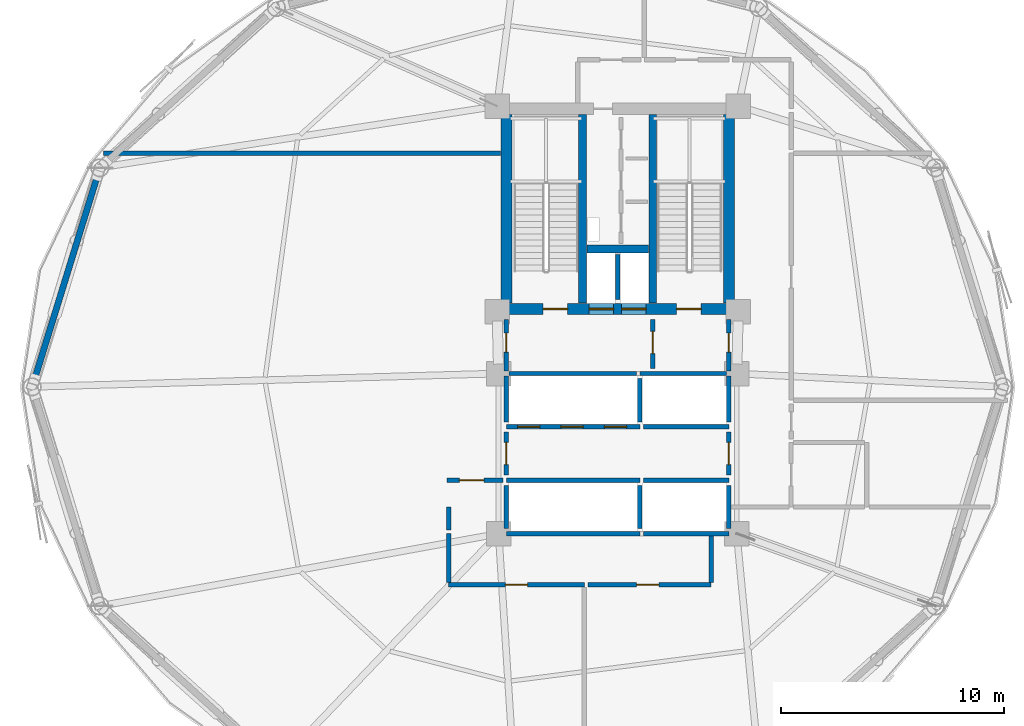
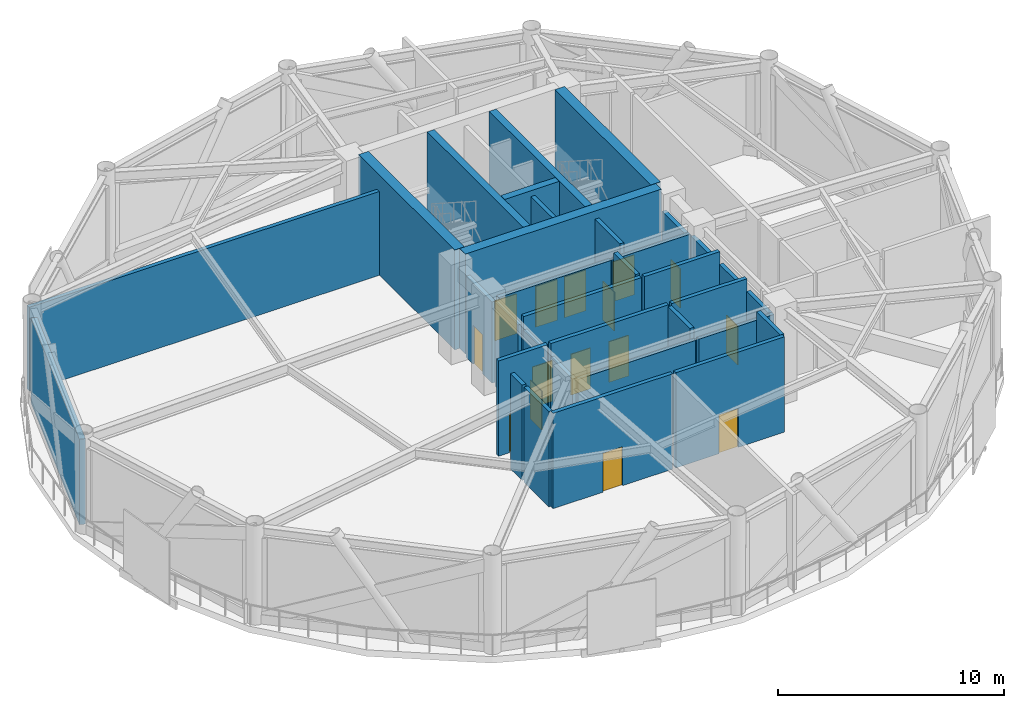
# One storey, part 3 of 8: 34 walls, 15 doors, 15 openings.
"""IFC4 building model written with IfcOpenShell, lengths in metres."""

from ifc_helpers import new_model, si_unit, direction, frame, frame_2d, origin, place, context, subcontext, project, spatial, rectangle, extrude, material, layer, layer_set, type_object, element, fill, save


model = new_model("IFC4")

# Units and contexts
model_context = context("Model", 3, precision=1e-05, world=origin(), true_north=direction((0.0, 1.0)))
body_context = subcontext(model_context, "Body", "Model", "MODEL_VIEW")
ifc_project = project(units=[si_unit("LENGTHUNIT", "METRE"), si_unit("AREAUNIT", "SQUARE_METRE"), si_unit("VOLUMEUNIT", "CUBIC_METRE"), si_unit("PLANEANGLEUNIT", "RADIAN"), si_unit("MASSUNIT", "GRAM", prefix="KILO")], contexts=[model_context])

# Site, building, storey
site_placement = place(None, origin())
site = spatial("IfcSite", under=ifc_project, at=site_placement, CompositionType="ELEMENT")
building_placement = place(site_placement, origin())
building = spatial("IfcBuilding", under=site, at=building_placement, Name="Varnakorn Sky Granary", CompositionType="ELEMENT")
storey_placement = place(building_placement, frame((0.0, 0.0, 78.300048828125)))
storey = spatial("IfcBuildingStorey", under=building, at=storey_placement, Name="L19", CompositionType="ELEMENT", Elevation=78.300048828125)

# Walls
ifc_material_1 = material(Name="Concrete C50/60", Category="concrete")
ifc_layer_1 = layer(ifc_material_1, 0.35009765625, Name="Concrete C50/60")
ifc_layer_set_1 = layer_set([ifc_layer_1], Name="Concrete C50/60")
wall_type_1 = type_object("IfcWallType", Name="WT-CW-INT-350", PredefinedType="SHEAR", material=ifc_layer_set_1)
for number, where, z_axis, x_axis, name in (
    (1, (1.419921875, 3.760009765625, 0.0), (0.0, 0.0, 1.0), (0.0, 1.0, 0.0), "Stair ST-1 Core Wall L19"),
    (2, (4.580078125, 3.760009765625, 0.0), (0.0, 0.0, 1.0), (0.0, 1.0, 0.0), "Stair ST-2 Core Wall L19"),
):
    element("IfcWall", number, at=place(storey_placement, frame(where, z_axis=z_axis, x_axis=x_axis)), inside=storey, type_object=wall_type_1, Name=name, PredefinedType="SHEAR", context=body_context, shape_type="SweptSolid", body=[
        extrude(rectangle(XDim=8.47998046875, YDim=0.35009765625, at=frame_2d((4.239990234375, 0.0))), origin(), (0.0, 0.0, 1.0), 5.391845703125),
    ])
wall_1_placement = place(storey_placement, frame((1.610107421875, 6.199951171875, 0.0), z_axis=(0.0, 0.0, 1.0), x_axis=(1.0, 0.0, 0.0)))
element("IfcWall", 3, at=wall_1_placement, inside=storey, type_object=wall_type_1, Name="Core Lift Shaft Cross Wall L19", PredefinedType="SHEAR", context=body_context, shape_type="SweptSolid", body=[
    extrude(rectangle(XDim=2.77978515625, YDim=0.35009765625, at=frame_2d((1.389892578125, 0.0))), origin(), (0.0, 0.0, 1.0), 5.391845703125),
])

# Wall, openings, doors
ifc_material_2 = material(Name="Concrete C60/75", Category="concrete")
ifc_layer_2 = layer(ifc_material_2, 0.5, Name="Concrete C60/75")
ifc_layer_set_2 = layer_set([ifc_layer_2], Name="Concrete C60/75")
wall_type_2 = type_object("IfcWallType", Name="WT-CW-SHEAR-500", PredefinedType="SHEAR", material=ifc_layer_set_2)
wall_2_placement = place(storey_placement, frame((-2.0, 3.5, 0.0), z_axis=(0.0, 0.0, 1.0), x_axis=(1.0, 0.0, 0.0)))
wall_2 = element("IfcWall", 4, at=wall_2_placement, inside=storey, type_object=wall_type_2, Name="Core South Shear Wall L19", PredefinedType="SHEAR", context=body_context, shape_type="SweptSolid", body=[
    extrude(rectangle(XDim=10.0, YDim=0.5, at=frame_2d((5.0, 0.0))), origin(), (0.0, 0.0, 1.0), 5.391845703125),
])
opening_1_placement = place(wall_2_placement, frame((1.64990234375, 0.0, 0.0)))
opening_1 = element("IfcOpeningElement", 5, at=opening_1_placement, cuts=wall_2, Name="Opening FD-90", PredefinedType="OPENING", context=body_context, shape_type="SweptSolid", body=[
    extrude(rectangle(XDim=1.10009765625, YDim=2.14990234375, at=frame_2d((0.550048828125, 1.074951171875))), frame((0.0, 0.260009765625, 0.0), z_axis=(0.0, -1.0, 0.0), x_axis=(1.0, 0.0, 0.0)), (0.0, 0.0, 1.0), 0.52001953125),
])
opening_2_placement = place(wall_2_placement, frame((7.64990234375, 0.0, 0.0)))
opening_2 = element("IfcOpeningElement", 6, at=opening_2_placement, cuts=wall_2, Name="Opening FD-90", PredefinedType="OPENING", context=body_context, shape_type="SweptSolid", body=[
    extrude(rectangle(XDim=1.10009765625, YDim=2.14990234375, at=frame_2d((0.550048828125, 1.074951171875))), frame((0.0, 0.260009765625, 0.0), z_axis=(0.0, -1.0, 0.0), x_axis=(1.0, 0.0, 0.0)), (0.0, 0.0, 1.0), 0.52001953125),
])
opening_3_placement = place(wall_2_placement, frame((3.719970703125, 0.0, 0.0)))
opening_3 = element("IfcOpeningElement", 7, at=opening_3_placement, cuts=wall_2, Name="Opening LD-01", PredefinedType="OPENING", context=body_context, shape_type="SweptSolid", body=[
    extrude(rectangle(XDim=1.10009765625, YDim=2.199951171875, at=frame_2d((0.550048828125, 1.10009765625))), frame((0.0, 0.260009765625, 0.0), z_axis=(0.0, -1.0, 0.0), x_axis=(1.0, 0.0, 0.0)), (0.0, 0.0, 1.0), 0.52001953125),
])
opening_4_placement = place(wall_2_placement, frame((5.179931640625, 0.0, 0.0)))
opening_4 = element("IfcOpeningElement", 8, at=opening_4_placement, cuts=wall_2, Name="Opening LD-01", PredefinedType="OPENING", context=body_context, shape_type="SweptSolid", body=[
    extrude(rectangle(XDim=1.10009765625, YDim=2.199951171875, at=frame_2d((0.550048828125, 1.10009765625))), frame((0.0, 0.260009765625, 0.0), z_axis=(0.0, -1.0, 0.0), x_axis=(1.0, 0.0, 0.0)), (0.0, 0.0, 1.0), 0.52001953125),
])
ifc_material_3 = material(Name="Brushed Bronze Stainless Steel", Category="steel")
door_type_1 = type_object("IfcDoorType", Name="DR-LD-1100", OperationType="DOUBLE_DOOR_SLIDING", PredefinedType="DOOR", material=ifc_material_3)
door_1_placement = place(opening_3_placement, origin())
door_1 = element("IfcDoor", 9, at=door_1_placement, inside=storey, type_object=door_type_1, Name="Firefighting Lift FFL-1 Landing Door L19", OperationType="DOUBLE_DOOR_SLIDING", OverallHeight=2.199951171875, OverallWidth=1.10009765625, PredefinedType="DOOR", context=body_context, shape_type="SweptSolid", body=[
    extrude(rectangle(XDim=1.10009765625, YDim=2.199951171875, at=frame_2d((0.550048828125, 1.10009765625))), frame((0.0, 0.02490234375, 0.0), z_axis=(0.0, -1.0, 0.0), x_axis=(1.0, 0.0, 0.0)), (0.0, 0.0, 1.0), 0.050048828125),
])
fill(opening_3, door_1)
door_2_placement = place(opening_4_placement, origin())
door_2 = element("IfcDoor", 10, at=door_2_placement, inside=storey, type_object=door_type_1, Name="Firefighting Lift FFL-2 Landing Door L19", OperationType="DOUBLE_DOOR_SLIDING", OverallHeight=2.199951171875, OverallWidth=1.10009765625, PredefinedType="DOOR", context=body_context, shape_type="SweptSolid", body=[
    extrude(rectangle(XDim=1.10009765625, YDim=2.199951171875, at=frame_2d((0.550048828125, 1.10009765625))), frame((0.0, 0.02490234375, 0.0), z_axis=(0.0, -1.0, 0.0), x_axis=(1.0, 0.0, 0.0)), (0.0, 0.0, 1.0), 0.050048828125),
])
fill(opening_4, door_2)
ifc_material_4 = material(Name="Galvanised Painted Steel Leaf", Category="steel")
door_type_2 = type_object("IfcDoorType", Name="DR-STAIR-1100", OperationType="NOTDEFINED", PredefinedType="DOOR", material=ifc_material_4)
door_3_placement = place(opening_1_placement, origin())
door_3 = element("IfcDoor", 11, at=door_3_placement, inside=storey, type_object=door_type_2, Name="Stair ST-1 Protected Fire Door L19", OperationType="SINGLE_SWING_LEFT", OverallHeight=2.14990234375, OverallWidth=1.10009765625, PredefinedType="DOOR", context=body_context, shape_type="SweptSolid", body=[
    extrude(rectangle(XDim=1.10009765625, YDim=2.14990234375, at=frame_2d((0.550048828125, 1.074951171875))), frame((0.0, 0.02490234375, 0.0), z_axis=(0.0, -1.0, 0.0), x_axis=(1.0, 0.0, 0.0)), (0.0, 0.0, 1.0), 0.050048828125),
])
fill(opening_1, door_3)
door_4_placement = place(opening_2_placement, origin())
door_4 = element("IfcDoor", 12, at=door_4_placement, inside=storey, type_object=door_type_2, Name="Stair ST-2 Protected Fire Door L19", OperationType="SINGLE_SWING_RIGHT", OverallHeight=2.14990234375, OverallWidth=1.10009765625, PredefinedType="DOOR", context=body_context, shape_type="SweptSolid", body=[
    extrude(rectangle(XDim=1.10009765625, YDim=2.14990234375, at=frame_2d((0.550048828125, 1.074951171875))), frame((0.0, 0.02490234375, 0.0), z_axis=(0.0, -1.0, 0.0), x_axis=(1.0, 0.0, 0.0)), (0.0, 0.0, 1.0), 0.050048828125),
])
fill(opening_2, door_4)

# Walls
for number, where, z_axis, x_axis, name in (
    (13, (-2.0, 3.760009765625, 0.0), (0.0, 0.0, 1.0), (0.0, 1.0, 0.0), "Core West Shear Wall L19"),
    (14, (8.0, 3.760009765625, 0.0), (0.0, 0.0, 1.0), (0.0, 1.0, 0.0), "Core East Shear Wall L19"),
):
    element("IfcWall", number, at=place(storey_placement, frame(where, z_axis=z_axis, x_axis=x_axis)), inside=storey, type_object=wall_type_2, Name=name, PredefinedType="SHEAR", context=body_context, shape_type="SweptSolid", body=[
        extrude(rectangle(XDim=8.47998046875, YDim=0.5, at=frame_2d((4.239990234375, 0.0))), origin(), (0.0, 0.0, 1.0), 5.391845703125),
    ])
ifc_material_5 = material(Name="Precast concrete C40/50", Category="concrete")
ifc_layer_3 = layer(ifc_material_5, 0.280029296875, Name="Precast concrete C40/50")
ifc_layer_set_3 = layer_set([ifc_layer_3], Name="Precast concrete C40/50")
wall_type_3 = type_object("IfcWallType", Name="WT-EW-CRN-280", PredefinedType="SOLIDWALL", material=ifc_layer_set_3)
wall_3_placement = place(storey_placement, frame((-23.204345703125, 0.345458984375, 0.0), z_axis=(0.0, 0.0, 1.0), x_axis=(0.295035078494, 0.955486421912, 0.0)))
element("IfcWall", 15, at=wall_3_placement, inside=storey, type_object=wall_type_3, Name="Agritech Insulated Precast Facade Wall L19-P06", PredefinedType="SOLIDWALL", context=body_context, shape_type="SweptSolid", body=[
    extrude(rectangle(XDim=9.577392578125, YDim=0.280029296875, at=frame_2d((4.78857421875, 0.0))), origin(), (0.0, 0.0, 1.0), 4.60986328125),
])

# Wall, opening, door
ifc_material_6 = material(Name="Autoclaved Aerated Concrete Blockwork", Category="masonry")
ifc_layer_4 = layer(ifc_material_6, 0.199951171875, Name="Autoclaved Aerated Concrete Blockwork")
ifc_layer_set_4 = layer_set([ifc_layer_4], Name="Autoclaved Aerated Concrete Blockwork")
wall_type_4 = type_object("IfcWallType", Name="WT-FIRE-200", PredefinedType="MOVABLE", material=ifc_layer_set_4)
wall_4_placement = place(storey_placement, frame((4.580078125, 0.830078125, 0.0), z_axis=(0.0, 0.0, 1.0), x_axis=(0.0, 1.0, 0.0)))
wall_4 = element("IfcWall", 16, at=wall_4_placement, inside=storey, type_object=wall_type_4, Name="Interior Partition Wall L19-016", PredefinedType="MOVABLE", context=body_context, shape_type="SweptSolid", body=[
    extrude(rectangle(XDim=2.18994140625, YDim=0.199951171875, at=frame_2d((1.094970703125, 0.0))), origin(), (0.0, 0.0, 1.0), 5.139892578125),
])
opening_5_placement = place(wall_4_placement, frame((0.659912109375, 0.0, 0.0)))
opening_5 = element("IfcOpeningElement", 17, at=opening_5_placement, cuts=wall_4, Name="Opening FD-60", PredefinedType="OPENING", context=body_context, shape_type="SweptSolid", body=[
    extrude(rectangle(XDim=1.0, YDim=2.10009765625, at=frame_2d((0.5, 1.050048828125))), frame((0.0, 0.10986328125, 0.0), z_axis=(0.0, -1.0, 0.0), x_axis=(1.0, 0.0, 0.0)), (0.0, 0.0, 1.0), 0.219970703125),
])
ifc_material_7 = material(Name="Acoustic Timber Fire Leaf", Category="wood")
door_type_3 = type_object("IfcDoorType", Name="DR-FD60-1000", OperationType="NOTDEFINED", PredefinedType="DOOR", material=ifc_material_7)
door_5_placement = place(opening_5_placement, origin())
door_5 = element("IfcDoor", 18, at=door_5_placement, inside=storey, type_object=door_type_3, Name="Interior Door L19-016-1", OperationType="SINGLE_SWING_LEFT", OverallHeight=2.10009765625, OverallWidth=1.0, PredefinedType="DOOR", context=body_context, shape_type="SweptSolid", body=[
    extrude(rectangle(XDim=1.0, YDim=2.10009765625, at=frame_2d((0.5, 1.050048828125))), frame((0.0, 0.02490234375, 0.0), z_axis=(0.0, -1.0, 0.0), x_axis=(1.0, 0.0, 0.0)), (0.0, 0.0, 1.0), 0.050048828125),
])
fill(opening_5, door_5)

wall_5_placement = place(storey_placement, frame((-2.0, 0.719970703125, 0.0), z_axis=(0.0, 0.0, 1.0), x_axis=(0.0, 1.0, 0.0)))
wall_5 = element("IfcWall", 19, at=wall_5_placement, inside=storey, type_object=wall_type_4, Name="Interior Partition Wall L19-017", PredefinedType="MOVABLE", context=body_context, shape_type="SweptSolid", body=[
    extrude(rectangle(XDim=2.300048828125, YDim=0.199951171875, at=frame_2d((1.14990234375, 0.0))), origin(), (0.0, 0.0, 1.0), 4.3720703125),
])
opening_6_placement = place(wall_5_placement, frame((0.844970703125, 0.0, 0.0)))
opening_6 = element("IfcOpeningElement", 20, at=opening_6_placement, cuts=wall_5, Name="Opening FD-60N", PredefinedType="OPENING", context=body_context, shape_type="SweptSolid", body=[
    extrude(rectangle(XDim=0.85009765625, YDim=2.10009765625, at=frame_2d((0.425048828125, 1.050048828125))), frame((0.0, 0.10986328125, 0.0), z_axis=(0.0, -1.0, 0.0), x_axis=(1.0, 0.0, 0.0)), (0.0, 0.0, 1.0), 0.219970703125),
])
door_type_4 = type_object("IfcDoorType", Name="DR-FD60-850", OperationType="NOTDEFINED", PredefinedType="DOOR", material=ifc_material_7)
door_6_placement = place(opening_6_placement, origin())
door_6 = element("IfcDoor", 21, at=door_6_placement, inside=storey, type_object=door_type_4, Name="Interior Door L19-017-1", OperationType="SINGLE_SWING_RIGHT", OverallHeight=2.10009765625, OverallWidth=0.85009765625, PredefinedType="DOOR", context=body_context, shape_type="SweptSolid", body=[
    extrude(rectangle(XDim=0.85009765625, YDim=2.10009765625, at=frame_2d((0.425048828125, 1.050048828125))), frame((0.0, 0.02490234375, 0.0), z_axis=(0.0, -1.0, 0.0), x_axis=(1.0, 0.0, 0.0)), (0.0, 0.0, 1.0), 0.050048828125),
])
fill(opening_6, door_6)

wall_6_placement = place(storey_placement, frame((8.0, 0.719970703125, 0.0), z_axis=(0.0, 0.0, 1.0), x_axis=(0.0, 1.0, 0.0)))
wall_6 = element("IfcWall", 22, at=wall_6_placement, inside=storey, type_object=wall_type_4, Name="Interior Partition Wall L19-018", PredefinedType="MOVABLE", context=body_context, shape_type="SweptSolid", body=[
    extrude(rectangle(XDim=2.300048828125, YDim=0.199951171875, at=frame_2d((1.14990234375, 0.0))), origin(), (0.0, 0.0, 1.0), 4.3720703125),
])
opening_7_placement = place(wall_6_placement, frame((0.844970703125, 0.0, 0.0)))
opening_7 = element("IfcOpeningElement", 23, at=opening_7_placement, cuts=wall_6, Name="Opening FD-60N", PredefinedType="OPENING", context=body_context, shape_type="SweptSolid", body=[
    extrude(rectangle(XDim=0.85009765625, YDim=2.10009765625, at=frame_2d((0.425048828125, 1.050048828125))), frame((0.0, 0.10986328125, 0.0), z_axis=(0.0, -1.0, 0.0), x_axis=(1.0, 0.0, 0.0)), (0.0, 0.0, 1.0), 0.219970703125),
])
door_7_placement = place(opening_7_placement, origin())
door_7 = element("IfcDoor", 24, at=door_7_placement, inside=storey, type_object=door_type_4, Name="Interior Door L19-018-1", OperationType="SINGLE_SWING_LEFT", OverallHeight=2.10009765625, OverallWidth=0.85009765625, PredefinedType="DOOR", context=body_context, shape_type="SweptSolid", body=[
    extrude(rectangle(XDim=0.85009765625, YDim=2.10009765625, at=frame_2d((0.425048828125, 1.050048828125))), frame((0.0, 0.02490234375, 0.0), z_axis=(0.0, -1.0, 0.0), x_axis=(1.0, 0.0, 0.0)), (0.0, 0.0, 1.0), 0.050048828125),
])
fill(opening_7, door_7)

wall_7_placement = place(storey_placement, frame((-2.0, -3.969970703125, 0.0), z_axis=(0.0, 0.0, 1.0), x_axis=(0.0, 1.0, 0.0)))
wall_7 = element("IfcWall", 25, at=wall_7_placement, inside=storey, type_object=wall_type_4, Name="Interior Partition Wall L19-019", PredefinedType="MOVABLE", context=body_context, shape_type="SweptSolid", body=[
    extrude(rectangle(XDim=1.93994140625, YDim=0.199951171875, at=frame_2d((0.969970703125, 0.0))), origin(), (0.0, 0.0, 1.0), 4.52197265625),
])
opening_8_placement = place(wall_7_placement, frame((0.469970703125, 0.0, 0.0)))
opening_8 = element("IfcOpeningElement", 26, at=opening_8_placement, cuts=wall_7, Name="Opening FD-60", PredefinedType="OPENING", context=body_context, shape_type="SweptSolid", body=[
    extrude(rectangle(XDim=1.0, YDim=2.10009765625, at=frame_2d((0.5, 1.050048828125))), frame((0.0, 0.10986328125, 0.0), z_axis=(0.0, -1.0, 0.0), x_axis=(1.0, 0.0, 0.0)), (0.0, 0.0, 1.0), 0.219970703125),
])
door_8_placement = place(opening_8_placement, origin())
door_8 = element("IfcDoor", 27, at=door_8_placement, inside=storey, type_object=door_type_3, Name="Interior Door L19-019-1", OperationType="SINGLE_SWING_RIGHT", OverallHeight=2.10009765625, OverallWidth=1.0, PredefinedType="DOOR", context=body_context, shape_type="SweptSolid", body=[
    extrude(rectangle(XDim=1.0, YDim=2.10009765625, at=frame_2d((0.5, 1.050048828125))), frame((0.0, 0.02490234375, 0.0), z_axis=(0.0, -1.0, 0.0), x_axis=(1.0, 0.0, 0.0)), (0.0, 0.0, 1.0), 0.050048828125),
])
fill(opening_8, door_8)

wall_8_placement = place(storey_placement, frame((8.0, -3.969970703125, 0.0), z_axis=(0.0, 0.0, 1.0), x_axis=(0.0, 1.0, 0.0)))
wall_8 = element("IfcWall", 28, at=wall_8_placement, inside=storey, type_object=wall_type_4, Name="Interior Partition Wall L19-020", PredefinedType="MOVABLE", context=body_context, shape_type="SweptSolid", body=[
    extrude(rectangle(XDim=1.93994140625, YDim=0.199951171875, at=frame_2d((0.969970703125, 0.0))), origin(), (0.0, 0.0, 1.0), 4.572021484375),
])
opening_9_placement = place(wall_8_placement, frame((0.469970703125, 0.0, 0.0)))
opening_9 = element("IfcOpeningElement", 29, at=opening_9_placement, cuts=wall_8, Name="Opening FD-60", PredefinedType="OPENING", context=body_context, shape_type="SweptSolid", body=[
    extrude(rectangle(XDim=1.0, YDim=2.10009765625, at=frame_2d((0.5, 1.050048828125))), frame((0.0, 0.10986328125, 0.0), z_axis=(0.0, -1.0, 0.0), x_axis=(1.0, 0.0, 0.0)), (0.0, 0.0, 1.0), 0.219970703125),
])
door_9_placement = place(opening_9_placement, origin())
door_9 = element("IfcDoor", 30, at=door_9_placement, inside=storey, type_object=door_type_3, Name="Interior Door L19-020-1", OperationType="SINGLE_SWING_LEFT", OverallHeight=2.10009765625, OverallWidth=1.0, PredefinedType="DOOR", context=body_context, shape_type="SweptSolid", body=[
    extrude(rectangle(XDim=1.0, YDim=2.10009765625, at=frame_2d((0.5, 1.050048828125))), frame((0.0, 0.02490234375, 0.0), z_axis=(0.0, -1.0, 0.0), x_axis=(1.0, 0.0, 0.0)), (0.0, 0.0, 1.0), 0.050048828125),
])
fill(opening_9, door_9)

wall_9_placement = place(storey_placement, frame((-2.159912109375, -4.199951171875, 0.0), z_axis=(0.0, 0.0, 1.0), x_axis=(-1.0, 0.0, 0.0)))
wall_9 = element("IfcWall", 31, at=wall_9_placement, inside=storey, type_object=wall_type_4, Name="Interior Partition Wall L19-021", PredefinedType="MOVABLE", context=body_context, shape_type="SweptSolid", body=[
    extrude(rectangle(XDim=2.5, YDim=0.199951171875, at=frame_2d((1.25, 0.0))), origin(), (0.0, 0.0, 1.0), 5.139892578125),
])
opening_10_placement = place(wall_9_placement, frame((0.85009765625, 0.0, 0.0)))
opening_10 = element("IfcOpeningElement", 32, at=opening_10_placement, cuts=wall_9, Name="Opening FD-60W", PredefinedType="OPENING", context=body_context, shape_type="SweptSolid", body=[
    extrude(rectangle(XDim=1.10009765625, YDim=2.10009765625, at=frame_2d((0.550048828125, 1.050048828125))), frame((0.0, 0.10986328125, 0.0), z_axis=(0.0, -1.0, 0.0), x_axis=(1.0, 0.0, 0.0)), (0.0, 0.0, 1.0), 0.219970703125),
])
door_type_5 = type_object("IfcDoorType", Name="DR-FD60-1100", OperationType="NOTDEFINED", PredefinedType="DOOR", material=ifc_material_4)
door_10_placement = place(opening_10_placement, origin())
door_10 = element("IfcDoor", 33, at=door_10_placement, inside=storey, type_object=door_type_5, Name="Interior Door L19-021-1", OperationType="SINGLE_SWING_RIGHT", OverallHeight=2.10009765625, OverallWidth=1.10009765625, PredefinedType="DOOR", context=body_context, shape_type="SweptSolid", body=[
    extrude(rectangle(XDim=1.10009765625, YDim=2.10009765625, at=frame_2d((0.550048828125, 1.050048828125))), frame((0.0, 0.02490234375, 0.0), z_axis=(0.0, -1.0, 0.0), x_axis=(1.0, 0.0, 0.0)), (0.0, 0.0, 1.0), 0.050048828125),
])
fill(opening_10, door_10)

wall_10_placement = place(storey_placement, frame((-4.60009765625, -8.89990234375, 0.0), z_axis=(0.0, 0.0, 1.0), x_axis=(1.0, 0.0, 0.0)))
wall_10 = element("IfcWall", 34, at=wall_10_placement, inside=storey, type_object=wall_type_4, Name="Interior Partition Wall L19-027", PredefinedType="MOVABLE", context=body_context, shape_type="SweptSolid", body=[
    extrude(rectangle(XDim=6.10009765625, YDim=0.199951171875, at=frame_2d((3.050048828125, 0.0))), origin(), (0.0, 0.0, 1.0), 5.139892578125),
])
opening_11_placement = place(wall_10_placement, frame((2.550048828125, 0.0, 0.0)))
opening_11 = element("IfcOpeningElement", 35, at=opening_11_placement, cuts=wall_10, Name="Opening FD-60", PredefinedType="OPENING", context=body_context, shape_type="SweptSolid", body=[
    extrude(rectangle(XDim=1.0, YDim=2.10009765625, at=frame_2d((0.5, 1.050048828125))), frame((0.0, 0.10986328125, 0.0), z_axis=(0.0, -1.0, 0.0), x_axis=(1.0, 0.0, 0.0)), (0.0, 0.0, 1.0), 0.219970703125),
])
door_11_placement = place(opening_11_placement, origin())
door_11 = element("IfcDoor", 36, at=door_11_placement, inside=storey, type_object=door_type_3, Name="Interior Door L19-027-1", OperationType="SINGLE_SWING_RIGHT", OverallHeight=2.10009765625, OverallWidth=1.0, PredefinedType="DOOR", context=body_context, shape_type="SweptSolid", body=[
    extrude(rectangle(XDim=1.0, YDim=2.10009765625, at=frame_2d((0.5, 1.050048828125))), frame((0.0, 0.02490234375, 0.0), z_axis=(0.0, -1.0, 0.0), x_axis=(1.0, 0.0, 0.0)), (0.0, 0.0, 1.0), 0.050048828125),
])
fill(opening_11, door_11)

wall_11_placement = place(storey_placement, frame((1.659912109375, -8.89990234375, 0.0), z_axis=(0.0, 0.0, 1.0), x_axis=(1.0, 0.0, 0.0)))
wall_11 = element("IfcWall", 37, at=wall_11_placement, inside=storey, type_object=wall_type_4, Name="Interior Partition Wall L19-028", PredefinedType="MOVABLE", context=body_context, shape_type="SweptSolid", body=[
    extrude(rectangle(XDim=5.5400390625, YDim=0.199951171875, at=frame_2d((2.77001953125, 0.0))), origin(), (0.0, 0.0, 1.0), 5.139892578125),
])
opening_12_placement = place(wall_11_placement, frame((2.18994140625, 0.0, 0.0)))
opening_12 = element("IfcOpeningElement", 38, at=opening_12_placement, cuts=wall_11, Name="Opening FD-60", PredefinedType="OPENING", context=body_context, shape_type="SweptSolid", body=[
    extrude(rectangle(XDim=1.0, YDim=2.10009765625, at=frame_2d((0.5, 1.050048828125))), frame((0.0, 0.10986328125, 0.0), z_axis=(0.0, -1.0, 0.0), x_axis=(1.0, 0.0, 0.0)), (0.0, 0.0, 1.0), 0.219970703125),
])
door_12_placement = place(opening_12_placement, origin())
door_12 = element("IfcDoor", 39, at=door_12_placement, inside=storey, type_object=door_type_3, Name="Interior Door L19-028-1", OperationType="SINGLE_SWING_LEFT", OverallHeight=2.10009765625, OverallWidth=1.0, PredefinedType="DOOR", context=body_context, shape_type="SweptSolid", body=[
    extrude(rectangle(XDim=1.0, YDim=2.10009765625, at=frame_2d((0.5, 1.050048828125))), frame((0.0, 0.02490234375, 0.0), z_axis=(0.0, -1.0, 0.0), x_axis=(1.0, 0.0, 0.0)), (0.0, 0.0, 1.0), 0.050048828125),
])
fill(opening_12, door_12)

# Walls
wall_12_placement = place(storey_placement, frame((-1.8798828125, 0.60009765625, 0.0), z_axis=(0.0, 0.0, 1.0), x_axis=(1.0, 0.0, 0.0)))
element("IfcWall", 40, at=wall_12_placement, inside=storey, type_object=wall_type_4, Name="Interior Partition Wall L19-031", PredefinedType="MOVABLE", context=body_context, shape_type="SweptSolid", body=[
    extrude(rectangle(XDim=5.719970703125, YDim=0.199951171875, at=frame_2d((2.85986328125, 0.0))), origin(), (0.0, 0.0, 1.0), 4.671875),
])
wall_13_placement = place(storey_placement, frame((-4.60009765625, -6.60009765625, 0.0), z_axis=(0.0, 0.0, 1.0), x_axis=(0.0, -1.0, 0.0)))
element("IfcWall", 41, at=wall_13_placement, inside=storey, type_object=wall_type_4, Name="Interior Partition Wall L19-036", PredefinedType="MOVABLE", context=body_context, shape_type="SweptSolid", body=[
    extrude(rectangle(XDim=2.18994140625, YDim=0.199951171875, at=frame_2d((1.094970703125, 0.0))), origin(), (0.0, 0.0, 1.0), 5.139892578125),
])
wall_14_placement = place(storey_placement, frame((-4.60009765625, -5.39990234375, 0.0), z_axis=(0.0, 0.0, 1.0), x_axis=(0.0, -1.0, 0.0)))
element("IfcWall", 42, at=wall_14_placement, inside=storey, type_object=wall_type_4, Name="Interior Partition Wall L19-037", PredefinedType="MOVABLE", context=body_context, shape_type="SweptSolid", body=[
    extrude(rectangle(XDim=1.0400390625, YDim=0.199951171875, at=frame_2d((0.52001953125, 0.0))), origin(), (0.0, 0.0, 1.0), 5.139892578125),
])
wall_15_placement = place(storey_placement, frame((7.199951171875, -8.7900390625, 0.0), z_axis=(0.0, 0.0, 1.0), x_axis=(0.0, 1.0, 0.0)))
element("IfcWall", 43, at=wall_15_placement, inside=storey, type_object=wall_type_4, Name="Interior Partition Wall L19-038", PredefinedType="MOVABLE", context=body_context, shape_type="SweptSolid", body=[
    extrude(rectangle(XDim=2.080078125, YDim=0.199951171875, at=frame_2d((1.0400390625, 0.0))), origin(), (0.0, 0.0, 1.0), 5.139892578125),
])
wall_16_placement = place(storey_placement, frame((-20.10888671875, 10.5, 0.0), z_axis=(0.0, 0.0, 1.0), x_axis=(1.0, 0.0, 0.0)))
element("IfcWall", 44, at=wall_16_placement, inside=storey, type_object=wall_type_4, Name="Interior Partition Wall L19-040", PredefinedType="MOVABLE", context=body_context, shape_type="SweptSolid", body=[
    extrude(rectangle(XDim=17.848876953125, YDim=0.199951171875, at=frame_2d((8.92431640625, 0.0))), origin(), (0.0, 0.0, 1.0), 4.52197265625),
])
ifc_layer_5 = layer(ifc_material_6, 0.199951171875, Name="Autoclaved Aerated Concrete Blockwork")
ifc_layer_set_5 = layer_set([ifc_layer_5], Name="Autoclaved Aerated Concrete Blockwork")
wall_type_5 = type_object("IfcWallType", Name="WT-SHAFT-200", PredefinedType="SOLIDWALL", material=ifc_layer_set_5)
wall_17_placement = place(storey_placement, frame((3.0, 3.919921875, 0.0), z_axis=(0.0, 0.0, 1.0), x_axis=(0.0, 1.0, 0.0)))
element("IfcWall", 45, at=wall_17_placement, inside=storey, type_object=wall_type_5, Name="Interior Partition Wall L19-001", PredefinedType="SOLIDWALL", context=body_context, shape_type="SweptSolid", body=[
    extrude(rectangle(XDim=2.030029296875, YDim=0.199951171875, at=frame_2d((1.01513671875, 0.0))), origin(), (0.0, 0.0, 1.0), 5.139892578125),
])
wall_18_placement = place(storey_placement, frame((4.0, 0.60009765625, 0.0), z_axis=(0.0, 0.0, 1.0), x_axis=(1.0, 0.0, 0.0)))
element("IfcWall", 46, at=wall_18_placement, inside=storey, type_object=wall_type_5, Name="Interior Partition Wall L19-002", PredefinedType="SOLIDWALL", context=body_context, shape_type="SweptSolid", body=[
    extrude(rectangle(XDim=3.8798828125, YDim=0.199951171875, at=frame_2d((1.93994140625, 0.0))), origin(), (0.0, 0.0, 1.0), 4.671875),
])

# Wall, openings, doors
wall_19_placement = place(storey_placement, frame((-2.0, -1.800048828125, 0.0), z_axis=(0.0, 0.0, 1.0), x_axis=(1.0, 0.0, 0.0)))
wall_19 = element("IfcWall", 47, at=wall_19_placement, inside=storey, type_object=wall_type_5, Name="Interior Partition Wall L19-003", PredefinedType="SOLIDWALL", context=body_context, shape_type="SweptSolid", body=[
    extrude(rectangle(XDim=6.0, YDim=0.199951171875, at=frame_2d((3.0, 0.0))), origin(), (0.0, 0.0, 1.0), 5.139892578125),
])
opening_13_placement = place(wall_19_placement, frame((0.5, 0.0, 0.0)))
opening_13 = element("IfcOpeningElement", 48, at=opening_13_placement, cuts=wall_19, Name="Opening LD-03", PredefinedType="OPENING", context=body_context, shape_type="SweptSolid", body=[
    extrude(rectangle(XDim=1.0, YDim=2.199951171875, at=frame_2d((0.5, 1.10009765625))), frame((0.0, 0.10986328125, 0.0), z_axis=(0.0, -1.0, 0.0), x_axis=(1.0, 0.0, 0.0)), (0.0, 0.0, 1.0), 0.219970703125),
])
opening_14_placement = place(wall_19_placement, frame((2.449951171875, 0.0, 0.0)))
opening_14 = element("IfcOpeningElement", 49, at=opening_14_placement, cuts=wall_19, Name="Opening LD-03", PredefinedType="OPENING", context=body_context, shape_type="SweptSolid", body=[
    extrude(rectangle(XDim=1.0, YDim=2.199951171875, at=frame_2d((0.5, 1.10009765625))), frame((0.0, 0.10986328125, 0.0), z_axis=(0.0, -1.0, 0.0), x_axis=(1.0, 0.0, 0.0)), (0.0, 0.0, 1.0), 0.219970703125),
])
opening_15_placement = place(wall_19_placement, frame((4.39990234375, 0.0, 0.0)))
opening_15 = element("IfcOpeningElement", 50, at=opening_15_placement, cuts=wall_19, Name="Opening LD-03", PredefinedType="OPENING", context=body_context, shape_type="SweptSolid", body=[
    extrude(rectangle(XDim=1.0, YDim=2.199951171875, at=frame_2d((0.5, 1.10009765625))), frame((0.0, 0.10986328125, 0.0), z_axis=(0.0, -1.0, 0.0), x_axis=(1.0, 0.0, 0.0)), (0.0, 0.0, 1.0), 0.219970703125),
])
door_type_6 = type_object("IfcDoorType", Name="DR-LD-1000", OperationType="DOUBLE_DOOR_SLIDING", PredefinedType="DOOR", material=ifc_material_3)
door_13_placement = place(opening_13_placement, origin())
door_13 = element("IfcDoor", 51, at=door_13_placement, inside=storey, type_object=door_type_6, Name="Passenger Lift PL-L1 Sliding Landing Door L19", OperationType="DOUBLE_DOOR_SLIDING", OverallHeight=2.199951171875, OverallWidth=1.0, PredefinedType="DOOR", context=body_context, shape_type="SweptSolid", body=[
    extrude(rectangle(XDim=1.0, YDim=2.199951171875, at=frame_2d((0.5, 1.10009765625))), frame((0.0, 0.02490234375, 0.0), z_axis=(0.0, -1.0, 0.0), x_axis=(1.0, 0.0, 0.0)), (0.0, 0.0, 1.0), 0.050048828125),
])
fill(opening_13, door_13)
door_14_placement = place(opening_14_placement, origin())
door_14 = element("IfcDoor", 52, at=door_14_placement, inside=storey, type_object=door_type_6, Name="Passenger Lift PL-L2 Sliding Landing Door L19", OperationType="DOUBLE_DOOR_SLIDING", OverallHeight=2.199951171875, OverallWidth=1.0, PredefinedType="DOOR", context=body_context, shape_type="SweptSolid", body=[
    extrude(rectangle(XDim=1.0, YDim=2.199951171875, at=frame_2d((0.5, 1.10009765625))), frame((0.0, 0.02490234375, 0.0), z_axis=(0.0, -1.0, 0.0), x_axis=(1.0, 0.0, 0.0)), (0.0, 0.0, 1.0), 0.050048828125),
])
fill(opening_14, door_14)
door_15_placement = place(opening_15_placement, origin())
door_15 = element("IfcDoor", 53, at=door_15_placement, inside=storey, type_object=door_type_6, Name="Passenger Lift PL-L3 Sliding Landing Door L19", OperationType="DOUBLE_DOOR_SLIDING", OverallHeight=2.199951171875, OverallWidth=1.0, PredefinedType="DOOR", context=body_context, shape_type="SweptSolid", body=[
    extrude(rectangle(XDim=1.0, YDim=2.199951171875, at=frame_2d((0.5, 1.10009765625))), frame((0.0, 0.02490234375, 0.0), z_axis=(0.0, -1.0, 0.0), x_axis=(1.0, 0.0, 0.0)), (0.0, 0.0, 1.0), 0.050048828125),
])
fill(opening_15, door_15)

# Walls
wall_20_placement = place(storey_placement, frame((-2.0, -1.570068359375, 0.0), z_axis=(0.0, 0.0, 1.0), x_axis=(0.0, 1.0, 0.0)))
element("IfcWall", 54, at=wall_20_placement, inside=storey, type_object=wall_type_5, Name="Interior Partition Wall L19-004", PredefinedType="SOLIDWALL", context=body_context, shape_type="SweptSolid", body=[
    extrude(rectangle(XDim=2.050048828125, YDim=0.199951171875, at=frame_2d((1.02490234375, 0.0))), origin(), (0.0, 0.0, 1.0), 4.52197265625),
])
wall_21_placement = place(storey_placement, frame((4.159912109375, -1.800048828125, 0.0), z_axis=(0.0, 0.0, 1.0), x_axis=(1.0, 0.0, 0.0)))
element("IfcWall", 55, at=wall_21_placement, inside=storey, type_object=wall_type_5, Name="Interior Partition Wall L19-005", PredefinedType="SOLIDWALL", context=body_context, shape_type="SweptSolid", body=[
    extrude(rectangle(XDim=3.840087890625, YDim=0.199951171875, at=frame_2d((1.919921875, 0.0))), origin(), (0.0, 0.0, 1.0), 5.139892578125),
])
wall_22_placement = place(storey_placement, frame((4.0, -1.570068359375, 0.0), z_axis=(0.0, 0.0, 1.0), x_axis=(0.0, 1.0, 0.0)))
element("IfcWall", 56, at=wall_22_placement, inside=storey, type_object=wall_type_5, Name="Interior Partition Wall L19-006", PredefinedType="SOLIDWALL", context=body_context, shape_type="SweptSolid", body=[
    extrude(rectangle(XDim=1.940185546875, YDim=0.199951171875, at=frame_2d((0.97021484375, 0.0))), origin(), (0.0, 0.0, 1.0), 5.139892578125),
])
wall_23_placement = place(storey_placement, frame((8.0, -1.570068359375, 0.0), z_axis=(0.0, 0.0, 1.0), x_axis=(0.0, 1.0, 0.0)))
element("IfcWall", 57, at=wall_23_placement, inside=storey, type_object=wall_type_5, Name="Interior Partition Wall L19-007", PredefinedType="SOLIDWALL", context=body_context, shape_type="SweptSolid", body=[
    extrude(rectangle(XDim=2.050048828125, YDim=0.199951171875, at=frame_2d((1.02490234375, 0.0))), origin(), (0.0, 0.0, 1.0), 4.572021484375),
])
wall_24_placement = place(storey_placement, frame((-2.0, -4.199951171875, 0.0), z_axis=(0.0, 0.0, 1.0), x_axis=(1.0, 0.0, 0.0)))
element("IfcWall", 58, at=wall_24_placement, inside=storey, type_object=wall_type_5, Name="Interior Partition Wall L19-008", PredefinedType="SOLIDWALL", context=body_context, shape_type="SweptSolid", body=[
    extrude(rectangle(XDim=6.0, YDim=0.199951171875, at=frame_2d((3.0, 0.0))), origin(), (0.0, 0.0, 1.0), 5.139892578125),
])
wall_25_placement = place(storey_placement, frame((-2.0, -6.60009765625, 0.0), z_axis=(0.0, 0.0, 1.0), x_axis=(1.0, 0.0, 0.0)))
element("IfcWall", 59, at=wall_25_placement, inside=storey, type_object=wall_type_5, Name="Interior Partition Wall L19-009", PredefinedType="SOLIDWALL", context=body_context, shape_type="SweptSolid", body=[
    extrude(rectangle(XDim=6.0, YDim=0.199951171875, at=frame_2d((3.0, 0.0))), origin(), (0.0, 0.0, 1.0), 4.671875),
])
wall_26_placement = place(storey_placement, frame((-2.0, -6.3701171875, 0.0), z_axis=(0.0, 0.0, 1.0), x_axis=(0.0, 1.0, 0.0)))
element("IfcWall", 60, at=wall_26_placement, inside=storey, type_object=wall_type_5, Name="Interior Partition Wall L19-010", PredefinedType="SOLIDWALL", context=body_context, shape_type="SweptSolid", body=[
    extrude(rectangle(XDim=1.940185546875, YDim=0.199951171875, at=frame_2d((0.97021484375, 0.0))), origin(), (0.0, 0.0, 1.0), 4.52197265625),
])
wall_27_placement = place(storey_placement, frame((4.159912109375, -4.199951171875, 0.0), z_axis=(0.0, 0.0, 1.0), x_axis=(1.0, 0.0, 0.0)))
element("IfcWall", 61, at=wall_27_placement, inside=storey, type_object=wall_type_5, Name="Interior Partition Wall L19-011", PredefinedType="SOLIDWALL", context=body_context, shape_type="SweptSolid", body=[
    extrude(rectangle(XDim=3.840087890625, YDim=0.199951171875, at=frame_2d((1.919921875, 0.0))), origin(), (0.0, 0.0, 1.0), 5.139892578125),
])
wall_28_placement = place(storey_placement, frame((4.159912109375, -6.60009765625, 0.0), z_axis=(0.0, 0.0, 1.0), x_axis=(1.0, 0.0, 0.0)))
element("IfcWall", 62, at=wall_28_placement, inside=storey, type_object=wall_type_5, Name="Interior Partition Wall L19-012", PredefinedType="SOLIDWALL", context=body_context, shape_type="SweptSolid", body=[
    extrude(rectangle(XDim=3.840087890625, YDim=0.199951171875, at=frame_2d((1.919921875, 0.0))), origin(), (0.0, 0.0, 1.0), 4.671875),
])
wall_29_placement = place(storey_placement, frame((4.0, -6.3701171875, 0.0), z_axis=(0.0, 0.0, 1.0), x_axis=(0.0, 1.0, 0.0)))
element("IfcWall", 63, at=wall_29_placement, inside=storey, type_object=wall_type_5, Name="Interior Partition Wall L19-013", PredefinedType="SOLIDWALL", context=body_context, shape_type="SweptSolid", body=[
    extrude(rectangle(XDim=1.940185546875, YDim=0.199951171875, at=frame_2d((0.97021484375, 0.0))), origin(), (0.0, 0.0, 1.0), 5.139892578125),
])
wall_30_placement = place(storey_placement, frame((8.0, -6.3701171875, 0.0), z_axis=(0.0, 0.0, 1.0), x_axis=(0.0, 1.0, 0.0)))
element("IfcWall", 64, at=wall_30_placement, inside=storey, type_object=wall_type_5, Name="Interior Partition Wall L19-014", PredefinedType="SOLIDWALL", context=body_context, shape_type="SweptSolid", body=[
    extrude(rectangle(XDim=1.940185546875, YDim=0.199951171875, at=frame_2d((0.97021484375, 0.0))), origin(), (0.0, 0.0, 1.0), 4.572021484375),
])

save(model, "model.ifc")
